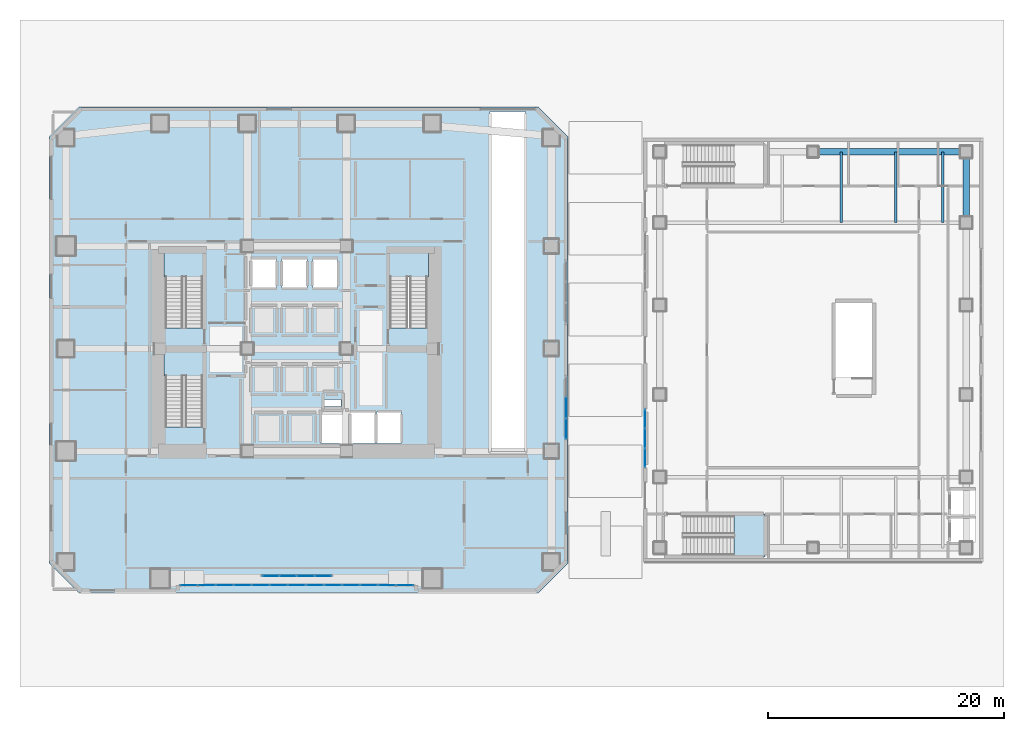
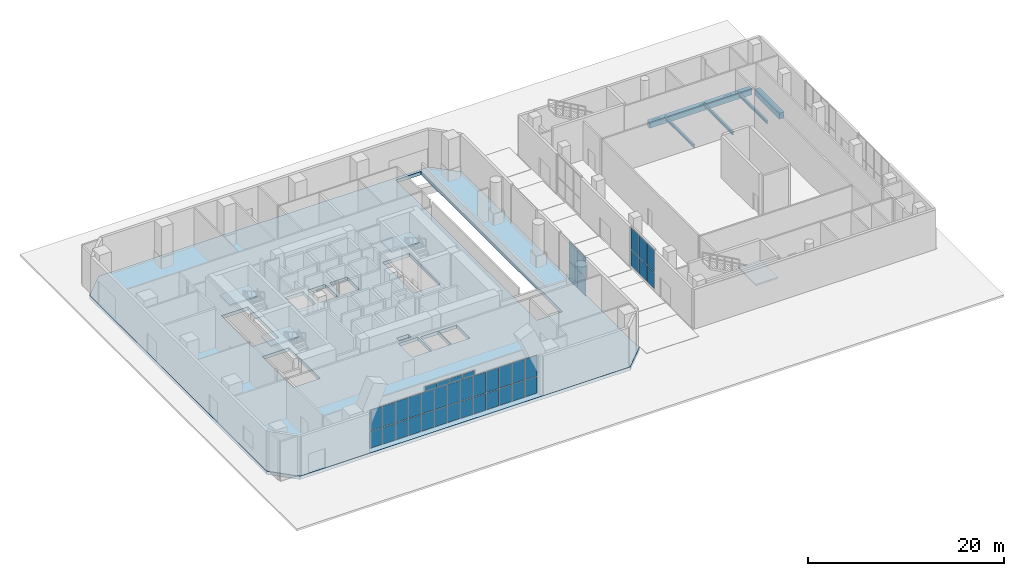
# One storey, part 17 of 30: 44 plates, 5 beams, 5 slabs, 8 elements without a shape of their own.
"""IFC4 building model written with IfcOpenShell, lengths in metres."""

from ifc_helpers import new_model, si_unit, direction, frame, origin, origin_2d, place, context, subcontext, project, spatial, polyline, rectangle, i_section, outline, extrude, material, layer, layer_set, material_profile, profile_set, type_object, element, aggregate, save


model = new_model("IFC4")

# Units and contexts
model_context = context("Model", 3, precision=1e-05, world=origin(), true_north=direction((0.0, 1.0)))
body_context = subcontext(model_context, "Body", "Model", "MODEL_VIEW")
ifc_project = project(units=[si_unit("LENGTHUNIT", "METRE"), si_unit("AREAUNIT", "SQUARE_METRE"), si_unit("VOLUMEUNIT", "CUBIC_METRE"), si_unit("PLANEANGLEUNIT", "RADIAN"), si_unit("MASSUNIT", "GRAM", prefix="KILO")], contexts=[model_context])

# Site, building, storey
site_placement = place(None, origin())
site = spatial("IfcSite", under=ifc_project, at=site_placement, CompositionType="ELEMENT")
building_placement = place(site_placement, origin())
building = spatial("IfcBuilding", under=site, at=building_placement, Name="Solanera Arch Residences", CompositionType="ELEMENT")
storey_placement = place(building_placement, origin())
storey = spatial("IfcBuildingStorey", under=building, at=storey_placement, Name="L00", CompositionType="ELEMENT", Elevation=0.0)

# Beams
ifc_material_1 = material(Name="Concrete C40/50 (f'c = 45 MPa)", Category="concrete")
ifc_material_profile_1 = material_profile(ifc_material_1, rectangle(XDim=0.550048828125, YDim=0.75, at=origin_2d()))
ifc_profile_set_1 = profile_set([ifc_material_profile_1], Name="Concrete C40/50 (f'c = 45 MPa)")
beam_type_1 = type_object("IfcBeamType", Name="Primary Beam RC-BM-550X750", PredefinedType="BEAM", material=ifc_profile_set_1)
beam_1_placement = place(storey_placement, frame((81.800048828125, 41.89990234375, -0.695068359375), z_axis=(0.0, 1.0, 0.0), x_axis=(-1.0, 0.0, 0.0)))
element("IfcBeam", 1, at=beam_1_placement, inside=storey, type_object=beam_type_1, Name="BM-L00-HE-5", PredefinedType="BEAM", context=body_context, shape_type="SweptSolid", body=[
    extrude(rectangle(XDim=0.550048828125, YDim=0.75, at=origin_2d()), origin(), (0.0, 0.0, 1.0), 5.0),
])
beam_2_placement = place(storey_placement, frame((69.25, 47.39990234375, -0.695068359375), z_axis=(1.0, 0.0, 0.0), x_axis=(0.0, 1.0, 0.0)))
element("IfcBeam", 2, at=beam_2_placement, inside=storey, type_object=beam_type_1, Name="BM-L00-HN-2", PredefinedType="BEAM", context=body_context, shape_type="SweptSolid", body=[
    extrude(rectangle(XDim=0.550048828125, YDim=0.75, at=origin_2d()), origin(), (0.0, 0.0, 1.0), 12.050048828125),
])
ifc_material_2 = material(Name="Steel S355 (ASTM A992 / A572 Grade 50)", Category="steel")
ifc_material_profile_2 = material_profile(ifc_material_2, i_section(OverallWidth=0.205078125, OverallDepth=0.35400390625, WebThickness=0.009521484375, FlangeThickness=0.016845703125, at=origin_2d()))
ifc_profile_set_2 = profile_set([ifc_material_profile_2], Name="Steel S355 (ASTM A992 / A572 Grade 50)")
beam_type_2 = type_object("IfcBeamType", Name="Secondary Joist W360X79", PredefinedType="JOIST", material=ifc_profile_set_2)
for number, where, z_axis, x_axis, name in (
    (3, (71.199951171875, 41.39990234375, -0.4970703125), (0.0, 1.0, 0.0), (-1.0, 0.0, 0.0), "BM-L00-HJN-71"),
    (4, (75.800048828125, 41.39990234375, -0.4970703125), (0.0, 1.0, 0.0), (-1.0, 0.0, 0.0), "BM-L00-HJN-75"),
    (5, (79.800048828125, 41.39990234375, -0.4970703125), (0.0, 1.0, 0.0), (-1.0, 0.0, 0.0), "BM-L00-HJN-79"),
):
    element("IfcBeam", number, at=place(storey_placement, frame(where, z_axis=z_axis, x_axis=x_axis)), inside=storey, type_object=beam_type_2, Name=name, PredefinedType="JOIST", context=body_context, shape_type="SweptSolid", body=[
        extrude(i_section(OverallWidth=0.205078125, OverallDepth=0.35400390625, WebThickness=0.009521484375, FlangeThickness=0.016845703125, at=origin_2d()), origin(), (0.0, 0.0, 1.0), 6.0),
    ])

# Stair, slab
ifc_material_3 = material(Name="Concrete C40/50 (f'c = 45 MPa)", Category="concrete")
stair_type_1 = type_object("IfcStairType", Name="Tower Dogleg Exit Stair 1480", PredefinedType="HALF_TURN_STAIR", material=ifc_material_3)
stair_1_placement = place(storey_placement, origin())
stair_1 = element("IfcStair", 6, at=stair_1_placement, inside=storey, type_object=stair_type_1, Name="L00 Tower Core Exit Stair 1", PredefinedType="HALF_TURN_STAIR")
ifc_material_4 = material(Name="Concrete C40/50 (f'c = 45 MPa)", Category="concrete")
ifc_layer_1 = layer(ifc_material_4, 0.199951171875)
ifc_layer_set_1 = layer_set([ifc_layer_1], Name="Concrete C40/50 (f'c = 45 MPa)")
slab_type_1 = type_object("IfcSlabType", Name="Stair Half-Landing Slab 200", PredefinedType="LANDING", material=ifc_layer_set_1)
slab_1_placement = place(storey_placement, frame((0.0, 0.0, 2.39990234375)))
slab_1 = element("IfcSlab", 7, at=slab_1_placement, type_object=slab_type_1, Name="ST-T1 landing 1", PredefinedType="LANDING", context=body_context, shape_type="SweptSolid", body=[
    extrude(outline(polyline([(17.1201171875, 36.81005859375), (17.1201171875, 38.919921875), (13.719970703125, 38.919921875), (13.719970703125, 36.81005859375), (17.1201171875, 36.81005859375)])), origin(), (0.0, 0.0, 1.0), 0.2001953125),
])
aggregate(stair_1, [slab_1])

stair_2_placement = place(storey_placement, origin())
stair_2 = element("IfcStair", 8, at=stair_2_placement, inside=storey, type_object=stair_type_1, Name="L00 Tower Core Exit Stair 2", PredefinedType="HALF_TURN_STAIR")
slab_2_placement = place(storey_placement, frame((0.0, 0.0, 2.39990234375)))
slab_2 = element("IfcSlab", 9, at=slab_2_placement, type_object=slab_type_1, Name="ST-T2 landing 1", PredefinedType="LANDING", context=body_context, shape_type="SweptSolid", body=[
    extrude(outline(polyline([(36.179931640625, 36.81005859375), (36.179931640625, 38.919921875), (32.780029296875, 38.919921875), (32.780029296875, 36.81005859375), (36.179931640625, 36.81005859375)])), origin(), (0.0, 0.0, 1.0), 0.2001953125),
])
aggregate(stair_2, [slab_2])

stair_3_placement = place(storey_placement, origin())
stair_3 = element("IfcStair", 10, at=stair_3_placement, inside=storey, type_object=stair_type_1, Name="L00 Tower Core Exit Stair 3", PredefinedType="HALF_TURN_STAIR")
slab_3_placement = place(storey_placement, frame((0.0, 0.0, 2.39990234375)))
slab_3 = element("IfcSlab", 11, at=slab_3_placement, type_object=slab_type_1, Name="ST-T3 landing 1", PredefinedType="LANDING", context=body_context, shape_type="SweptSolid", body=[
    extrude(outline(polyline([(17.1201171875, 28.409912109375), (17.1201171875, 30.52001953125), (13.719970703125, 30.52001953125), (13.719970703125, 28.409912109375), (17.1201171875, 28.409912109375)])), origin(), (0.0, 0.0, 1.0), 0.2001953125),
])
aggregate(stair_3, [slab_3])

ifc_material_5 = material(Name="Concrete C40/50 (f'c = 45 MPa)", Category="concrete")
stair_type_2 = type_object("IfcStairType", Name="Arena Dogleg Exit Stair 1560", PredefinedType="HALF_TURN_STAIR", material=ifc_material_5)
stair_4_placement = place(storey_placement, origin())
stair_4 = element("IfcStair", 12, at=stair_4_placement, inside=storey, type_object=stair_type_2, Name="L00 Sports Hall South Exit Stair", PredefinedType="HALF_TURN_STAIR")
slab_4_placement = place(storey_placement, frame((0.0, 0.0, 2.39990234375)))
slab_4 = element("IfcSlab", 13, at=slab_4_placement, type_object=slab_type_1, Name="ST-H1 landing 1", PredefinedType="LANDING", context=body_context, shape_type="SweptSolid", body=[
    extrude(outline(polyline([(62.090087890625, 13.080078125), (64.719970703125, 13.080078125), (64.719970703125, 16.639892578125), (62.090087890625, 16.639892578125), (62.090087890625, 13.080078125)])), origin(), (0.0, 0.0, 1.0), 0.2001953125),
])
aggregate(stair_4, [slab_4])

# Slab
ifc_material_6 = material(Name="Concrete C40/50 (f'c = 45 MPa)", Category="concrete")
ifc_layer_2 = layer(ifc_material_6, 0.419921875)
ifc_layer_set_2 = layer_set([ifc_layer_2], Name="Concrete C40/50 (f'c = 45 MPa)")
slab_type_2 = type_object("IfcSlabType", Name="Suspended Floor Slab Post-Tensioned 420", PredefinedType="FLOOR", material=ifc_layer_set_2)
slab_5_placement = place(storey_placement, frame((0.0, 0.0, -0.419921875)))
element("IfcSlab", 14, at=slab_5_placement, inside=storey, type_object=slab_type_2, Name="L00 Tower Podium Structural Slab", PredefinedType="FLOOR", context=body_context, shape_type="SweptSolid", body=[
    extrude(outline(polyline([(6.5, 10.0), (45.5, 10.0), (48.0, 12.5), (48.0, 48.699951171875), (45.5, 51.199951171875), (6.5, 51.199951171875), (4.0, 48.699951171875), (4.0, 12.5), (6.5, 10.0)]), holes=[polyline([(13.840087890625, 32.48291015625), (13.840087890625, 38.800048828125), (17.0, 38.800048828125), (17.0, 32.48291015625), (13.840087890625, 32.48291015625)]), polyline([(32.89990234375, 32.48291015625), (32.89990234375, 38.800048828125), (36.06005859375, 38.800048828125), (36.06005859375, 32.48291015625), (32.89990234375, 32.48291015625)]), polyline([(13.840087890625, 24.0830078125), (13.840087890625, 30.39990234375), (17.0, 30.39990234375), (17.0, 24.0830078125), (13.840087890625, 24.0830078125)]), polyline([(21.14990234375, 38.35009765625), (23.25, 38.35009765625), (23.25, 35.85009765625), (21.14990234375, 35.85009765625), (21.14990234375, 38.35009765625)]), polyline([(23.75, 38.35009765625), (25.85009765625, 38.35009765625), (25.85009765625, 35.85009765625), (23.75, 35.85009765625), (23.75, 38.35009765625)]), polyline([(26.35009765625, 38.35009765625), (28.449951171875, 38.35009765625), (28.449951171875, 35.85009765625), (26.35009765625, 35.85009765625), (26.35009765625, 38.35009765625)]), polyline([(29.550048828125, 25.35009765625), (31.64990234375, 25.35009765625), (31.64990234375, 22.64990234375), (29.550048828125, 22.64990234375), (29.550048828125, 25.35009765625)]), polyline([(31.75, 25.35009765625), (33.85009765625, 25.35009765625), (33.85009765625, 22.64990234375), (31.75, 22.64990234375), (31.75, 25.35009765625)]), polyline([(27.050048828125, 25.449951171875), (29.35009765625, 25.449951171875), (29.35009765625, 22.64990234375), (27.050048828125, 22.64990234375), (27.050048828125, 25.449951171875)]), polyline([(27.340087890625, 26.3798828125), (28.760009765625, 26.3798828125), (28.760009765625, 25.820068359375), (27.340087890625, 25.820068359375), (27.340087890625, 26.3798828125)]), polyline([(41.39990234375, 50.85009765625), (44.39990234375, 50.85009765625), (44.39990234375, 22.0), (41.39990234375, 22.0), (41.39990234375, 50.85009765625)])]), origin(), (0.0, 0.0, 1.0), 0.419921875),
])

# Curtain wall, plates
ifc_material_7 = material(Name="Anodised Aluminium Alloy 6063-T6", Category="aluminium")
ifc_layer_3 = layer(ifc_material_7, 0.14990234375)
ifc_layer_set_3 = layer_set([ifc_layer_3], Name="Anodised Aluminium Alloy 6063-T6")
curtain_wall_type_1 = type_object("IfcCurtainWallType", Name="CW-2 Paseo Shopfront Glazing", PredefinedType="USERDEFINED", material=ifc_layer_set_3)
curtain_wall_1_placement = place(storey_placement, origin())
curtain_wall_1 = element("IfcCurtainWall", 15, at=curtain_wall_1_placement, inside=storey, type_object=curtain_wall_type_1, Name="L00 Paseo Shopfront Curtain Wall 2", ObjectType="CURTAIN_WALL", PredefinedType="USERDEFINED")
ifc_material_8 = material(Name="Double Glazed Low-E Laminated Glass", Category="glass")
ifc_layer_4 = layer(ifc_material_8, 0.028076171875)
ifc_layer_set_4 = layer_set([ifc_layer_4], Name="Double Glazed Low-E Laminated Glass")
plate_type = type_object("IfcPlateType", Name="Vision Glazing Panel GL-28", PredefinedType="CURTAIN_PANEL", material=ifc_layer_set_4)
plate_1_placement = place(storey_placement, frame((47.820068359375, 25.699951171875, 0.070068359375), z_axis=(0.0, 0.0, 1.0), x_axis=(0.0, -1.0, 0.0)))
plate_1 = element("IfcPlate", 16, at=plate_1_placement, type_object=plate_type, Name="CW-2 panel 2.1", PredefinedType="CURTAIN_PANEL", context=body_context, shape_type="SweptSolid", body=[
    extrude(rectangle(XDim=1.72998046875, YDim=0.028076171875, at=origin_2d()), origin(), (0.0, 0.0, 1.0), 2.294921875),
])
plate_2_placement = place(storey_placement, frame((47.820068359375, 25.699951171875, 2.43505859375), z_axis=(0.0, 0.0, 1.0), x_axis=(0.0, -1.0, 0.0)))
plate_2 = element("IfcPlate", 17, at=plate_2_placement, type_object=plate_type, Name="CW-2 panel 2.2", PredefinedType="CURTAIN_PANEL", context=body_context, shape_type="SweptSolid", body=[
    extrude(rectangle(XDim=1.72998046875, YDim=0.028076171875, at=origin_2d()), origin(), (0.0, 0.0, 1.0), 2.4150390625),
])
plate_3_placement = place(storey_placement, frame((47.820068359375, 23.91748046875, 0.070068359375), z_axis=(0.0, 0.0, 1.0), x_axis=(0.0, -1.0, 0.0)))
plate_3 = element("IfcPlate", 18, at=plate_3_placement, type_object=plate_type, Name="CW-2 panel 3.1", PredefinedType="CURTAIN_PANEL", context=body_context, shape_type="SweptSolid", body=[
    extrude(rectangle(XDim=1.695068359375, YDim=0.028076171875, at=origin_2d()), origin(), (0.0, 0.0, 1.0), 2.294921875),
])
plate_4_placement = place(storey_placement, frame((47.820068359375, 23.91748046875, 2.43505859375), z_axis=(0.0, 0.0, 1.0), x_axis=(0.0, -1.0, 0.0)))
plate_4 = element("IfcPlate", 19, at=plate_4_placement, type_object=plate_type, Name="CW-2 panel 3.2", PredefinedType="CURTAIN_PANEL", context=body_context, shape_type="SweptSolid", body=[
    extrude(rectangle(XDim=1.695068359375, YDim=0.028076171875, at=origin_2d()), origin(), (0.0, 0.0, 1.0), 2.4150390625),
])
aggregate(curtain_wall_1, [plate_1, plate_2, plate_3, plate_4])

ifc_material_9 = material(Name="Anodised Aluminium Alloy 6063-T6", Category="aluminium")
ifc_layer_5 = layer(ifc_material_9, 0.179931640625)
ifc_layer_set_5 = layer_set([ifc_layer_5], Name="Anodised Aluminium Alloy 6063-T6")
curtain_wall_type_2 = type_object("IfcCurtainWallType", Name="CW-1 Arch Portal Unitised Glazing", PredefinedType="USERDEFINED", material=ifc_layer_set_5)
curtain_wall_2_placement = place(storey_placement, origin())
curtain_wall_2 = element("IfcCurtainWall", 20, at=curtain_wall_2_placement, inside=storey, type_object=curtain_wall_type_2, Name="L00 Arch Portal Unitised Curtain Wall", ObjectType="CURTAIN_WALL", PredefinedType="USERDEFINED")
plate_5_placement = place(storey_placement, frame((34.1552734375, 10.6298828125, 0.080078125), z_axis=(0.0, 0.0, 1.0), x_axis=(-1.0, 0.0, 0.0)))
plate_5 = element("IfcPlate", 21, at=plate_5_placement, type_object=plate_type, Name="CW-1 panel 1.1", PredefinedType="CURTAIN_PANEL", context=body_context, shape_type="SweptSolid", body=[
    extrude(rectangle(XDim=1.4091796875, YDim=0.028076171875, at=origin_2d()), origin(), (0.0, 0.0, 1.0), 2.080078125),
])
plate_6_placement = place(storey_placement, frame((34.1552734375, 10.6298828125, 2.239990234375), z_axis=(0.0, 0.0, 1.0), x_axis=(-1.0, 0.0, 0.0)))
plate_6 = element("IfcPlate", 22, at=plate_6_placement, type_object=plate_type, Name="CW-1 panel 1.2", PredefinedType="CURTAIN_PANEL", context=body_context, shape_type="SweptSolid", body=[
    extrude(rectangle(XDim=1.4091796875, YDim=0.028076171875, at=origin_2d()), origin(), (0.0, 0.0, 1.0), 2.60009765625),
])
plate_7_placement = place(storey_placement, frame((32.646240234375, 10.6298828125, 0.080078125), z_axis=(0.0, 0.0, 1.0), x_axis=(-1.0, 0.0, 0.0)))
plate_7 = element("IfcPlate", 23, at=plate_7_placement, type_object=plate_type, Name="CW-1 panel 2.1", PredefinedType="CURTAIN_PANEL", context=body_context, shape_type="SweptSolid", body=[
    extrude(rectangle(XDim=1.44921875, YDim=0.028076171875, at=origin_2d()), origin(), (0.0, 0.0, 1.0), 2.080078125),
])
plate_8_placement = place(storey_placement, frame((32.646240234375, 10.6298828125, 2.239990234375), z_axis=(0.0, 0.0, 1.0), x_axis=(-1.0, 0.0, 0.0)))
plate_8 = element("IfcPlate", 24, at=plate_8_placement, type_object=plate_type, Name="CW-1 panel 2.2", PredefinedType="CURTAIN_PANEL", context=body_context, shape_type="SweptSolid", body=[
    extrude(rectangle(XDim=1.44921875, YDim=0.028076171875, at=origin_2d()), origin(), (0.0, 0.0, 1.0), 2.60009765625),
])
plate_9_placement = place(storey_placement, frame((31.116943359375, 10.6298828125, 0.080078125), z_axis=(0.0, 0.0, 1.0), x_axis=(-1.0, 0.0, 0.0)))
plate_9 = element("IfcPlate", 25, at=plate_9_placement, type_object=plate_type, Name="CW-1 panel 3.1", PredefinedType="CURTAIN_PANEL", context=body_context, shape_type="SweptSolid", body=[
    extrude(rectangle(XDim=1.44921875, YDim=0.028076171875, at=origin_2d()), origin(), (0.0, 0.0, 1.0), 2.080078125),
])
plate_10_placement = place(storey_placement, frame((31.116943359375, 10.6298828125, 2.239990234375), z_axis=(0.0, 0.0, 1.0), x_axis=(-1.0, 0.0, 0.0)))
plate_10 = element("IfcPlate", 26, at=plate_10_placement, type_object=plate_type, Name="CW-1 panel 3.2", PredefinedType="CURTAIN_PANEL", context=body_context, shape_type="SweptSolid", body=[
    extrude(rectangle(XDim=1.44921875, YDim=0.028076171875, at=origin_2d()), origin(), (0.0, 0.0, 1.0), 2.60009765625),
])
plate_11_placement = place(storey_placement, frame((29.587646484375, 10.6298828125, 0.080078125), z_axis=(0.0, 0.0, 1.0), x_axis=(-1.0, 0.0, 0.0)))
plate_11 = element("IfcPlate", 27, at=plate_11_placement, type_object=plate_type, Name="CW-1 panel 4.1", PredefinedType="CURTAIN_PANEL", context=body_context, shape_type="SweptSolid", body=[
    extrude(rectangle(XDim=1.44921875, YDim=0.028076171875, at=origin_2d()), origin(), (0.0, 0.0, 1.0), 2.080078125),
])
plate_12_placement = place(storey_placement, frame((29.587646484375, 10.6298828125, 2.239990234375), z_axis=(0.0, 0.0, 1.0), x_axis=(-1.0, 0.0, 0.0)))
plate_12 = element("IfcPlate", 28, at=plate_12_placement, type_object=plate_type, Name="CW-1 panel 4.2", PredefinedType="CURTAIN_PANEL", context=body_context, shape_type="SweptSolid", body=[
    extrude(rectangle(XDim=1.44921875, YDim=0.028076171875, at=origin_2d()), origin(), (0.0, 0.0, 1.0), 2.60009765625),
])
plate_13_placement = place(storey_placement, frame((28.058349609375, 10.6298828125, 0.080078125), z_axis=(0.0, 0.0, 1.0), x_axis=(-1.0, 0.0, 0.0)))
plate_13 = element("IfcPlate", 29, at=plate_13_placement, type_object=plate_type, Name="CW-1 panel 5.1", PredefinedType="CURTAIN_PANEL", context=body_context, shape_type="SweptSolid", body=[
    extrude(rectangle(XDim=1.44921875, YDim=0.028076171875, at=origin_2d()), origin(), (0.0, 0.0, 1.0), 2.080078125),
])
plate_14_placement = place(storey_placement, frame((28.058349609375, 10.6298828125, 2.239990234375), z_axis=(0.0, 0.0, 1.0), x_axis=(-1.0, 0.0, 0.0)))
plate_14 = element("IfcPlate", 30, at=plate_14_placement, type_object=plate_type, Name="CW-1 panel 5.2", PredefinedType="CURTAIN_PANEL", context=body_context, shape_type="SweptSolid", body=[
    extrude(rectangle(XDim=1.44921875, YDim=0.028076171875, at=origin_2d()), origin(), (0.0, 0.0, 1.0), 2.60009765625),
])
plate_15_placement = place(storey_placement, frame((26.529296875, 10.6298828125, 0.080078125), z_axis=(0.0, 0.0, 1.0), x_axis=(-1.0, 0.0, 0.0)))
plate_15 = element("IfcPlate", 31, at=plate_15_placement, type_object=plate_type, Name="CW-1 panel 6.1", PredefinedType="CURTAIN_PANEL", context=body_context, shape_type="SweptSolid", body=[
    extrude(rectangle(XDim=1.44921875, YDim=0.028076171875, at=origin_2d()), origin(), (0.0, 0.0, 1.0), 2.080078125),
])
plate_16_placement = place(storey_placement, frame((26.529296875, 10.6298828125, 2.239990234375), z_axis=(0.0, 0.0, 1.0), x_axis=(-1.0, 0.0, 0.0)))
plate_16 = element("IfcPlate", 32, at=plate_16_placement, type_object=plate_type, Name="CW-1 panel 6.2", PredefinedType="CURTAIN_PANEL", context=body_context, shape_type="SweptSolid", body=[
    extrude(rectangle(XDim=1.44921875, YDim=0.028076171875, at=origin_2d()), origin(), (0.0, 0.0, 1.0), 2.60009765625),
])
plate_17_placement = place(storey_placement, frame((25.0, 10.6298828125, 0.080078125), z_axis=(0.0, 0.0, 1.0), x_axis=(-1.0, 0.0, 0.0)))
plate_17 = element("IfcPlate", 33, at=plate_17_placement, type_object=plate_type, Name="CW-1 panel 7.1", PredefinedType="CURTAIN_PANEL", context=body_context, shape_type="SweptSolid", body=[
    extrude(rectangle(XDim=1.44921875, YDim=0.028076171875, at=origin_2d()), origin(), (0.0, 0.0, 1.0), 2.080078125),
])
plate_18_placement = place(storey_placement, frame((25.0, 10.6298828125, 2.239990234375), z_axis=(0.0, 0.0, 1.0), x_axis=(-1.0, 0.0, 0.0)))
plate_18 = element("IfcPlate", 34, at=plate_18_placement, type_object=plate_type, Name="CW-1 panel 7.2", PredefinedType="CURTAIN_PANEL", context=body_context, shape_type="SweptSolid", body=[
    extrude(rectangle(XDim=1.44921875, YDim=0.028076171875, at=origin_2d()), origin(), (0.0, 0.0, 1.0), 2.60009765625),
])
plate_19_placement = place(storey_placement, frame((23.470703125, 10.6298828125, 0.080078125), z_axis=(0.0, 0.0, 1.0), x_axis=(-1.0, 0.0, 0.0)))
plate_19 = element("IfcPlate", 35, at=plate_19_placement, type_object=plate_type, Name="CW-1 panel 8.1", PredefinedType="CURTAIN_PANEL", context=body_context, shape_type="SweptSolid", body=[
    extrude(rectangle(XDim=1.44921875, YDim=0.028076171875, at=origin_2d()), origin(), (0.0, 0.0, 1.0), 2.080078125),
])
plate_20_placement = place(storey_placement, frame((23.470703125, 10.6298828125, 2.239990234375), z_axis=(0.0, 0.0, 1.0), x_axis=(-1.0, 0.0, 0.0)))
plate_20 = element("IfcPlate", 36, at=plate_20_placement, type_object=plate_type, Name="CW-1 panel 8.2", PredefinedType="CURTAIN_PANEL", context=body_context, shape_type="SweptSolid", body=[
    extrude(rectangle(XDim=1.44921875, YDim=0.028076171875, at=origin_2d()), origin(), (0.0, 0.0, 1.0), 2.60009765625),
])
plate_21_placement = place(storey_placement, frame((21.941650390625, 10.6298828125, 0.080078125), z_axis=(0.0, 0.0, 1.0), x_axis=(-1.0, 0.0, 0.0)))
plate_21 = element("IfcPlate", 37, at=plate_21_placement, type_object=plate_type, Name="CW-1 panel 9.1", PredefinedType="CURTAIN_PANEL", context=body_context, shape_type="SweptSolid", body=[
    extrude(rectangle(XDim=1.44921875, YDim=0.028076171875, at=origin_2d()), origin(), (0.0, 0.0, 1.0), 2.080078125),
])
plate_22_placement = place(storey_placement, frame((21.941650390625, 10.6298828125, 2.239990234375), z_axis=(0.0, 0.0, 1.0), x_axis=(-1.0, 0.0, 0.0)))
plate_22 = element("IfcPlate", 38, at=plate_22_placement, type_object=plate_type, Name="CW-1 panel 9.2", PredefinedType="CURTAIN_PANEL", context=body_context, shape_type="SweptSolid", body=[
    extrude(rectangle(XDim=1.44921875, YDim=0.028076171875, at=origin_2d()), origin(), (0.0, 0.0, 1.0), 2.60009765625),
])
plate_23_placement = place(storey_placement, frame((20.412353515625, 10.6298828125, 0.080078125), z_axis=(0.0, 0.0, 1.0), x_axis=(-1.0, 0.0, 0.0)))
plate_23 = element("IfcPlate", 39, at=plate_23_placement, type_object=plate_type, Name="CW-1 panel 10.1", PredefinedType="CURTAIN_PANEL", context=body_context, shape_type="SweptSolid", body=[
    extrude(rectangle(XDim=1.44921875, YDim=0.028076171875, at=origin_2d()), origin(), (0.0, 0.0, 1.0), 2.080078125),
])
plate_24_placement = place(storey_placement, frame((20.412353515625, 10.6298828125, 2.239990234375), z_axis=(0.0, 0.0, 1.0), x_axis=(-1.0, 0.0, 0.0)))
plate_24 = element("IfcPlate", 40, at=plate_24_placement, type_object=plate_type, Name="CW-1 panel 10.2", PredefinedType="CURTAIN_PANEL", context=body_context, shape_type="SweptSolid", body=[
    extrude(rectangle(XDim=1.44921875, YDim=0.028076171875, at=origin_2d()), origin(), (0.0, 0.0, 1.0), 2.60009765625),
])
plate_25_placement = place(storey_placement, frame((18.883056640625, 10.6298828125, 0.080078125), z_axis=(0.0, 0.0, 1.0), x_axis=(-1.0, 0.0, 0.0)))
plate_25 = element("IfcPlate", 41, at=plate_25_placement, type_object=plate_type, Name="CW-1 panel 11.1", PredefinedType="CURTAIN_PANEL", context=body_context, shape_type="SweptSolid", body=[
    extrude(rectangle(XDim=1.44921875, YDim=0.028076171875, at=origin_2d()), origin(), (0.0, 0.0, 1.0), 2.080078125),
])
plate_26_placement = place(storey_placement, frame((18.883056640625, 10.6298828125, 2.239990234375), z_axis=(0.0, 0.0, 1.0), x_axis=(-1.0, 0.0, 0.0)))
plate_26 = element("IfcPlate", 42, at=plate_26_placement, type_object=plate_type, Name="CW-1 panel 11.2", PredefinedType="CURTAIN_PANEL", context=body_context, shape_type="SweptSolid", body=[
    extrude(rectangle(XDim=1.44921875, YDim=0.028076171875, at=origin_2d()), origin(), (0.0, 0.0, 1.0), 2.60009765625),
])
plate_27_placement = place(storey_placement, frame((17.353759765625, 10.6298828125, 0.080078125), z_axis=(0.0, 0.0, 1.0), x_axis=(-1.0, 0.0, 0.0)))
plate_27 = element("IfcPlate", 43, at=plate_27_placement, type_object=plate_type, Name="CW-1 panel 12.1", PredefinedType="CURTAIN_PANEL", context=body_context, shape_type="SweptSolid", body=[
    extrude(rectangle(XDim=1.44921875, YDim=0.028076171875, at=origin_2d()), origin(), (0.0, 0.0, 1.0), 2.080078125),
])
plate_28_placement = place(storey_placement, frame((17.353759765625, 10.6298828125, 2.239990234375), z_axis=(0.0, 0.0, 1.0), x_axis=(-1.0, 0.0, 0.0)))
plate_28 = element("IfcPlate", 44, at=plate_28_placement, type_object=plate_type, Name="CW-1 panel 12.2", PredefinedType="CURTAIN_PANEL", context=body_context, shape_type="SweptSolid", body=[
    extrude(rectangle(XDim=1.44921875, YDim=0.028076171875, at=origin_2d()), origin(), (0.0, 0.0, 1.0), 2.60009765625),
])
plate_29_placement = place(storey_placement, frame((15.8447265625, 10.6298828125, 0.080078125), z_axis=(0.0, 0.0, 1.0), x_axis=(-1.0, 0.0, 0.0)))
plate_29 = element("IfcPlate", 45, at=plate_29_placement, type_object=plate_type, Name="CW-1 panel 13.1", PredefinedType="CURTAIN_PANEL", context=body_context, shape_type="SweptSolid", body=[
    extrude(rectangle(XDim=1.4091796875, YDim=0.028076171875, at=origin_2d()), origin(), (0.0, 0.0, 1.0), 2.080078125),
])
plate_30_placement = place(storey_placement, frame((15.8447265625, 10.6298828125, 2.239990234375), z_axis=(0.0, 0.0, 1.0), x_axis=(-1.0, 0.0, 0.0)))
plate_30 = element("IfcPlate", 46, at=plate_30_placement, type_object=plate_type, Name="CW-1 panel 13.2", PredefinedType="CURTAIN_PANEL", context=body_context, shape_type="SweptSolid", body=[
    extrude(rectangle(XDim=1.4091796875, YDim=0.028076171875, at=origin_2d()), origin(), (0.0, 0.0, 1.0), 2.60009765625),
])
aggregate(curtain_wall_2, [plate_5, plate_6, plate_7, plate_8, plate_9, plate_10, plate_11, plate_12, plate_13, plate_14, plate_15, plate_16, plate_17, plate_18, plate_19, plate_20, plate_21, plate_22, plate_23, plate_24, plate_25, plate_26, plate_27, plate_28, plate_29, plate_30])

curtain_wall_3_placement = place(storey_placement, origin())
curtain_wall_3 = element("IfcCurtainWall", 47, at=curtain_wall_3_placement, inside=storey, type_object=curtain_wall_type_2, Name="L00 Arch Vestibule Windscreen Curtain Wall", ObjectType="CURTAIN_WALL", PredefinedType="USERDEFINED")
plate_31_placement = place(storey_placement, frame((27.22998046875, 11.429931640625, 0.080078125), z_axis=(0.0, 0.0, 1.0), x_axis=(-1.0, 0.0, 0.0)))
plate_31 = element("IfcPlate", 48, at=plate_31_placement, type_object=plate_type, Name="CW-1 panel 1.1", PredefinedType="CURTAIN_PANEL", context=body_context, shape_type="SweptSolid", body=[
    extrude(rectangle(XDim=1.3798828125, YDim=0.028076171875, at=origin_2d()), origin(), (0.0, 0.0, 1.0), 2.080078125),
])
plate_32_placement = place(storey_placement, frame((27.22998046875, 11.429931640625, 2.239990234375), z_axis=(0.0, 0.0, 1.0), x_axis=(-1.0, 0.0, 0.0)))
plate_32 = element("IfcPlate", 49, at=plate_32_placement, type_object=plate_type, Name="CW-1 panel 1.2", PredefinedType="CURTAIN_PANEL", context=body_context, shape_type="SweptSolid", body=[
    extrude(rectangle(XDim=1.3798828125, YDim=0.028076171875, at=origin_2d()), origin(), (0.0, 0.0, 1.0), 2.60009765625),
])
plate_33_placement = place(storey_placement, frame((25.75, 11.429931640625, 0.080078125), z_axis=(0.0, 0.0, 1.0), x_axis=(-1.0, 0.0, 0.0)))
plate_33 = element("IfcPlate", 50, at=plate_33_placement, type_object=plate_type, Name="CW-1 panel 2.1", PredefinedType="CURTAIN_PANEL", context=body_context, shape_type="SweptSolid", body=[
    extrude(rectangle(XDim=1.419921875, YDim=0.028076171875, at=origin_2d()), origin(), (0.0, 0.0, 1.0), 2.080078125),
])
plate_34_placement = place(storey_placement, frame((25.75, 11.429931640625, 2.239990234375), z_axis=(0.0, 0.0, 1.0), x_axis=(-1.0, 0.0, 0.0)))
plate_34 = element("IfcPlate", 51, at=plate_34_placement, type_object=plate_type, Name="CW-1 panel 2.2", PredefinedType="CURTAIN_PANEL", context=body_context, shape_type="SweptSolid", body=[
    extrude(rectangle(XDim=1.419921875, YDim=0.028076171875, at=origin_2d()), origin(), (0.0, 0.0, 1.0), 2.60009765625),
])
plate_35_placement = place(storey_placement, frame((24.25, 11.429931640625, 0.080078125), z_axis=(0.0, 0.0, 1.0), x_axis=(-1.0, 0.0, 0.0)))
plate_35 = element("IfcPlate", 52, at=plate_35_placement, type_object=plate_type, Name="CW-1 panel 3.1", PredefinedType="CURTAIN_PANEL", context=body_context, shape_type="SweptSolid", body=[
    extrude(rectangle(XDim=1.419921875, YDim=0.028076171875, at=origin_2d()), origin(), (0.0, 0.0, 1.0), 2.080078125),
])
plate_36_placement = place(storey_placement, frame((24.25, 11.429931640625, 2.239990234375), z_axis=(0.0, 0.0, 1.0), x_axis=(-1.0, 0.0, 0.0)))
plate_36 = element("IfcPlate", 53, at=plate_36_placement, type_object=plate_type, Name="CW-1 panel 3.2", PredefinedType="CURTAIN_PANEL", context=body_context, shape_type="SweptSolid", body=[
    extrude(rectangle(XDim=1.419921875, YDim=0.028076171875, at=origin_2d()), origin(), (0.0, 0.0, 1.0), 2.60009765625),
])
plate_37_placement = place(storey_placement, frame((22.77001953125, 11.429931640625, 0.080078125), z_axis=(0.0, 0.0, 1.0), x_axis=(-1.0, 0.0, 0.0)))
plate_37 = element("IfcPlate", 54, at=plate_37_placement, type_object=plate_type, Name="CW-1 panel 4.1", PredefinedType="CURTAIN_PANEL", context=body_context, shape_type="SweptSolid", body=[
    extrude(rectangle(XDim=1.3798828125, YDim=0.028076171875, at=origin_2d()), origin(), (0.0, 0.0, 1.0), 2.080078125),
])
plate_38_placement = place(storey_placement, frame((22.77001953125, 11.429931640625, 2.239990234375), z_axis=(0.0, 0.0, 1.0), x_axis=(-1.0, 0.0, 0.0)))
plate_38 = element("IfcPlate", 55, at=plate_38_placement, type_object=plate_type, Name="CW-1 panel 4.2", PredefinedType="CURTAIN_PANEL", context=body_context, shape_type="SweptSolid", body=[
    extrude(rectangle(XDim=1.3798828125, YDim=0.028076171875, at=origin_2d()), origin(), (0.0, 0.0, 1.0), 2.60009765625),
])
aggregate(curtain_wall_3, [plate_31, plate_32, plate_33, plate_34, plate_35, plate_36, plate_37, plate_38])

ifc_material_10 = material(Name="Anodised Aluminium Alloy 6063-T6", Category="aluminium")
ifc_layer_6 = layer(ifc_material_10, 0.159912109375)
ifc_layer_set_6 = layer_set([ifc_layer_6], Name="Anodised Aluminium Alloy 6063-T6")
curtain_wall_type_3 = type_object("IfcCurtainWallType", Name="CW-3 Sports Hall Foyer Curtain Wall", PredefinedType="USERDEFINED", material=ifc_layer_set_6)
curtain_wall_4_placement = place(storey_placement, origin())
curtain_wall_4 = element("IfcCurtainWall", 56, at=curtain_wall_4_placement, inside=storey, type_object=curtain_wall_type_3, Name="L00 Sports Hall Foyer Curtain Wall 1", ObjectType="CURTAIN_WALL", PredefinedType="USERDEFINED")
plate_39_placement = place(storey_placement, frame((54.550048828125, 21.450927734375, 0.06982421875), z_axis=(0.0, 0.0, 1.0), x_axis=(0.0, 1.0, 0.0)))
plate_39 = element("IfcPlate", 57, at=plate_39_placement, type_object=plate_type, Name="CW-3 panel 1.1", PredefinedType="CURTAIN_PANEL", context=body_context, shape_type="SweptSolid", body=[
    extrude(rectangle(XDim=1.561767578125, YDim=0.028076171875, at=origin_2d()), origin(), (0.0, 0.0, 1.0), 1.9951171875),
])
plate_40_placement = place(storey_placement, frame((54.550048828125, 21.450927734375, 2.134765625), z_axis=(0.0, 0.0, 1.0), x_axis=(0.0, 1.0, 0.0)))
plate_40 = element("IfcPlate", 58, at=plate_40_placement, type_object=plate_type, Name="CW-3 panel 1.2", PredefinedType="CURTAIN_PANEL", context=body_context, shape_type="SweptSolid", body=[
    extrude(rectangle(XDim=1.561767578125, YDim=0.028076171875, at=origin_2d()), origin(), (0.0, 0.0, 1.0), 2.715087890625),
])
plate_41_placement = place(storey_placement, frame((54.550048828125, 23.10009765625, 0.06982421875), z_axis=(0.0, 0.0, 1.0), x_axis=(0.0, 1.0, 0.0)))
plate_41 = element("IfcPlate", 59, at=plate_41_placement, type_object=plate_type, Name="CW-3 panel 2.1", PredefinedType="CURTAIN_PANEL", context=body_context, shape_type="SweptSolid", body=[
    extrude(rectangle(XDim=1.5966796875, YDim=0.028076171875, at=origin_2d()), origin(), (0.0, 0.0, 1.0), 1.9951171875),
])
plate_42_placement = place(storey_placement, frame((54.550048828125, 23.10009765625, 2.134765625), z_axis=(0.0, 0.0, 1.0), x_axis=(0.0, 1.0, 0.0)))
plate_42 = element("IfcPlate", 60, at=plate_42_placement, type_object=plate_type, Name="CW-3 panel 2.2", PredefinedType="CURTAIN_PANEL", context=body_context, shape_type="SweptSolid", body=[
    extrude(rectangle(XDim=1.5966796875, YDim=0.028076171875, at=origin_2d()), origin(), (0.0, 0.0, 1.0), 2.715087890625),
])
plate_43_placement = place(storey_placement, frame((54.550048828125, 24.749267578125, 0.06982421875), z_axis=(0.0, 0.0, 1.0), x_axis=(0.0, 1.0, 0.0)))
plate_43 = element("IfcPlate", 61, at=plate_43_placement, type_object=plate_type, Name="CW-3 panel 3.1", PredefinedType="CURTAIN_PANEL", context=body_context, shape_type="SweptSolid", body=[
    extrude(rectangle(XDim=1.561767578125, YDim=0.028076171875, at=origin_2d()), origin(), (0.0, 0.0, 1.0), 1.9951171875),
])
plate_44_placement = place(storey_placement, frame((54.550048828125, 24.749267578125, 2.134765625), z_axis=(0.0, 0.0, 1.0), x_axis=(0.0, 1.0, 0.0)))
plate_44 = element("IfcPlate", 62, at=plate_44_placement, type_object=plate_type, Name="CW-3 panel 3.2", PredefinedType="CURTAIN_PANEL", context=body_context, shape_type="SweptSolid", body=[
    extrude(rectangle(XDim=1.561767578125, YDim=0.028076171875, at=origin_2d()), origin(), (0.0, 0.0, 1.0), 2.715087890625),
])
aggregate(curtain_wall_4, [plate_39, plate_40, plate_41, plate_42, plate_43, plate_44])

save(model, "model.ifc")
